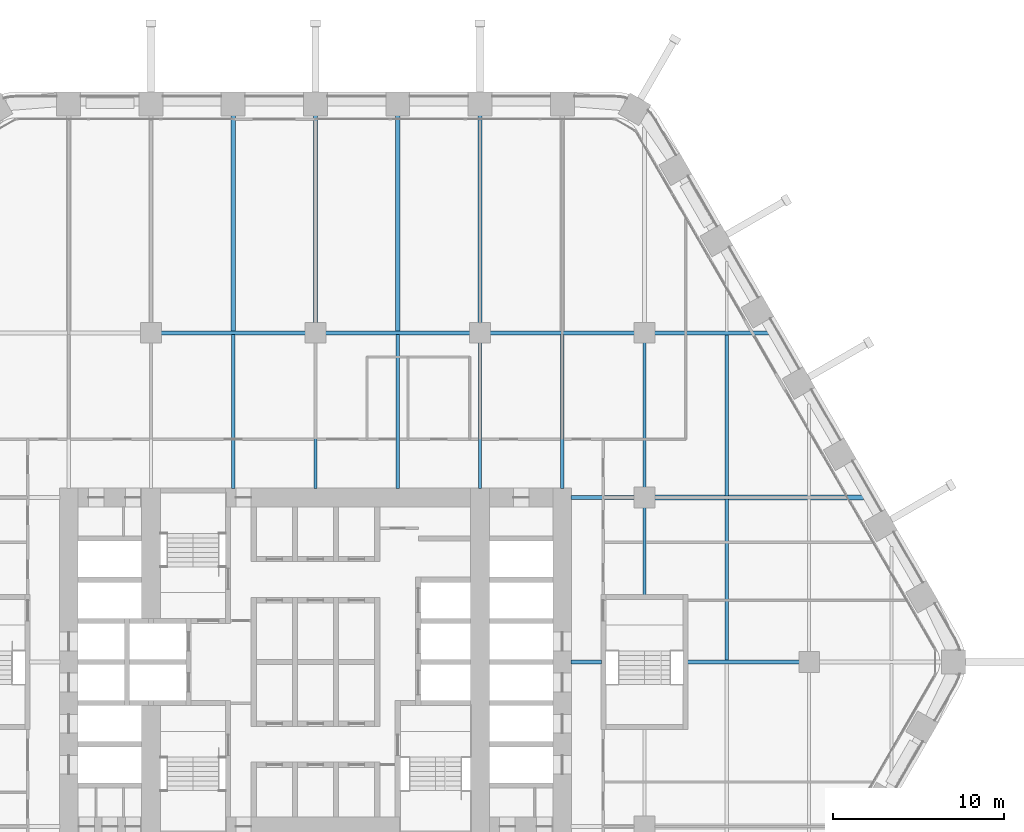
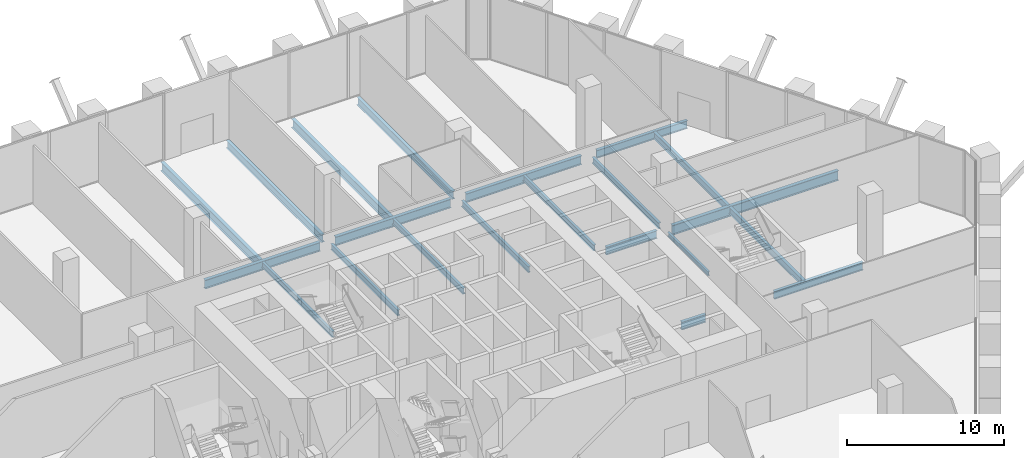
# One storey, part 9 of 29: 21 beams.
"""IFC4 building model written with IfcOpenShell, lengths in metres."""

from ifc_helpers import new_model, si_unit, direction, frame, origin, origin_2d, place, context, subcontext, project, spatial, i_section, extrude, material, material_profile, profile_set, type_object, element, save


model = new_model("IFC4")

# Units and contexts
model_context = context("Model", 3, precision=1e-05, world=origin(), true_north=direction((0.0, 1.0)))
body_context = subcontext(model_context, "Body", "Model", "MODEL_VIEW")
ifc_project = project(units=[si_unit("LENGTHUNIT", "METRE"), si_unit("AREAUNIT", "SQUARE_METRE"), si_unit("VOLUMEUNIT", "CUBIC_METRE"), si_unit("PLANEANGLEUNIT", "RADIAN"), si_unit("MASSUNIT", "GRAM", prefix="KILO")], contexts=[model_context])

# Site, building, storey
site_placement = place(None, origin())
site = spatial("IfcSite", under=ifc_project, at=site_placement, CompositionType="ELEMENT")
building_placement = place(site_placement, origin())
building = spatial("IfcBuilding", under=site, at=building_placement, Name="Kolab Exchange Tower", CompositionType="ELEMENT")
storey_placement = place(building_placement, frame((0.0, 0.0, 33.39990234375)))
storey = spatial("IfcBuildingStorey", under=building, at=storey_placement, Name="L06", CompositionType="ELEMENT", Elevation=33.39990234375)

# Beams
ifc_material = material(Name="Steel S355", Category="steel")
ifc_material_profile_1 = material_profile(ifc_material, i_section(OverallWidth=0.1650390625, OverallDepth=0.31005859375, WebThickness=0.005859375, FlangeThickness=0.009765625, at=origin_2d()), Name="W310X39")
ifc_profile_set_1 = profile_set([ifc_material_profile_1], Name="Steel S355")
beam_type_1 = type_object("IfcBeamType", Name="FLOOR BEAM W310X39", PredefinedType="BEAM", material=ifc_profile_set_1)
beam_1_placement = place(storey_placement, frame((19.199951171875, 3.909912109375, -0.40478515625), z_axis=(0.0, 1.0, 0.0), x_axis=(-1.0, 0.0, 0.0)))
element("IfcBeam", 1, at=beam_1_placement, inside=storey, type_object=beam_type_1, Name="beam/L06/fr/049", PredefinedType="BEAM", context=body_context, shape_type="SweptSolid", body=[
    extrude(i_section(OverallWidth=0.1650390625, OverallDepth=0.31005859375, WebThickness=0.005859375, FlangeThickness=0.009765625, at=origin_2d()), origin(), (0.0, 0.0, 1.0), 5.130126953125),
])
ifc_material_profile_2 = material_profile(ifc_material, i_section(OverallWidth=0.18994140625, OverallDepth=0.45703125, WebThickness=0.009033203125, FlangeThickness=0.014404296875, at=origin_2d()), Name="W460X74")
ifc_profile_set_2 = profile_set([ifc_material_profile_2], Name="Steel S355")
beam_type_2 = type_object("IfcBeamType", Name="FLOOR BEAM W460X74", PredefinedType="BEAM", material=ifc_profile_set_2)
beam_2_placement = place(storey_placement, frame((-4.800048828125, 10.110107421875, -0.478515625), z_axis=(0.0, 1.0, 0.0), x_axis=(-1.0, 0.0, 0.0)))
element("IfcBeam", 2, at=beam_2_placement, inside=storey, type_object=beam_type_2, Name="beam/L06/fr/028", PredefinedType="BEAM", context=body_context, shape_type="SweptSolid", body=[
    extrude(i_section(OverallWidth=0.18994140625, OverallDepth=0.45703125, WebThickness=0.009033203125, FlangeThickness=0.014404296875, at=origin_2d()), origin(), (0.0, 0.0, 1.0), 9.0029296875),
])
beam_3_placement = place(storey_placement, frame((0.0, 10.110107421875, -0.478515625), z_axis=(0.0, 1.0, 0.0), x_axis=(-1.0, 0.0, 0.0)))
element("IfcBeam", 3, at=beam_3_placement, inside=storey, type_object=beam_type_2, Name="beam/L06/fr/032", PredefinedType="BEAM", context=body_context, shape_type="SweptSolid", body=[
    extrude(i_section(OverallWidth=0.18994140625, OverallDepth=0.45703125, WebThickness=0.009033203125, FlangeThickness=0.014404296875, at=origin_2d()), origin(), (0.0, 0.0, 1.0), 8.52978515625),
])
beam_4_placement = place(storey_placement, frame((4.800048828125, 10.110107421875, -0.478515625), z_axis=(0.0, 1.0, 0.0), x_axis=(-1.0, 0.0, 0.0)))
element("IfcBeam", 4, at=beam_4_placement, inside=storey, type_object=beam_type_2, Name="beam/L06/fr/036", PredefinedType="BEAM", context=body_context, shape_type="SweptSolid", body=[
    extrude(i_section(OverallWidth=0.18994140625, OverallDepth=0.45703125, WebThickness=0.009033203125, FlangeThickness=0.014404296875, at=origin_2d()), origin(), (0.0, 0.0, 1.0), 9.0029296875),
])
beam_5_placement = place(storey_placement, frame((9.60009765625, 10.110107421875, -0.478515625), z_axis=(0.0, 1.0, 0.0), x_axis=(-1.0, 0.0, 0.0)))
element("IfcBeam", 5, at=beam_5_placement, inside=storey, type_object=beam_type_2, Name="beam/L06/fr/040", PredefinedType="BEAM", context=body_context, shape_type="SweptSolid", body=[
    extrude(i_section(OverallWidth=0.18994140625, OverallDepth=0.45703125, WebThickness=0.009033203125, FlangeThickness=0.014404296875, at=origin_2d()), origin(), (0.0, 0.0, 1.0), 8.52978515625),
])
beam_6_placement = place(storey_placement, frame((14.39990234375, 10.110107421875, -0.478515625), z_axis=(0.0, 1.0, 0.0), x_axis=(-1.0, 0.0, 0.0)))
element("IfcBeam", 6, at=beam_6_placement, inside=storey, type_object=beam_type_2, Name="beam/L06/fr/044", PredefinedType="BEAM", context=body_context, shape_type="SweptSolid", body=[
    extrude(i_section(OverallWidth=0.18994140625, OverallDepth=0.45703125, WebThickness=0.009033203125, FlangeThickness=0.014404296875, at=origin_2d()), origin(), (0.0, 0.0, 1.0), 9.0029296875),
])
beam_7_placement = place(storey_placement, frame((19.199951171875, 10.159912109375, -0.478515625), z_axis=(0.0, 1.0, 0.0), x_axis=(-1.0, 0.0, 0.0)))
element("IfcBeam", 7, at=beam_7_placement, inside=storey, type_object=beam_type_2, Name="beam/L06/fr/050", PredefinedType="BEAM", context=body_context, shape_type="SweptSolid", body=[
    extrude(i_section(OverallWidth=0.18994140625, OverallDepth=0.45703125, WebThickness=0.009033203125, FlangeThickness=0.014404296875, at=origin_2d()), origin(), (0.0, 0.0, 1.0), 8.47998046875),
])
ifc_material_profile_3 = material_profile(ifc_material, i_section(OverallWidth=0.208984375, OverallDepth=0.532958984375, WebThickness=0.01025390625, FlangeThickness=0.015625, at=origin_2d()), Name="W530X92")
ifc_profile_set_3 = profile_set([ifc_material_profile_3], Name="Steel S355")
beam_type_3 = type_object("IfcBeamType", Name="FLOOR BEAM W530X92", PredefinedType="BEAM", material=ifc_profile_set_3)
beam_8_placement = place(storey_placement, frame((24.0, 0.073974609375, -0.516357421875), z_axis=(0.0, 1.0, 0.0), x_axis=(-1.0, 0.0, 0.0)))
element("IfcBeam", 8, at=beam_8_placement, inside=storey, type_object=beam_type_3, Name="beam/L06/fr/055", PredefinedType="BEAM", context=body_context, shape_type="SweptSolid", body=[
    extrude(i_section(OverallWidth=0.208984375, OverallDepth=0.532958984375, WebThickness=0.01025390625, FlangeThickness=0.015625, at=origin_2d()), origin(), (0.0, 0.0, 1.0), 9.4326171875),
])
beam_9_placement = place(storey_placement, frame((24.0, 9.693603515625, -0.516357421875), z_axis=(0.0, 1.0, 0.0), x_axis=(-1.0, 0.0, 0.0)))
element("IfcBeam", 9, at=beam_9_placement, inside=storey, type_object=beam_type_3, Name="beam/L06/fr/056", PredefinedType="BEAM", context=body_context, shape_type="SweptSolid", body=[
    extrude(i_section(OverallWidth=0.208984375, OverallDepth=0.532958984375, WebThickness=0.01025390625, FlangeThickness=0.015625, at=origin_2d()), origin(), (0.0, 0.0, 1.0), 9.432373046875),
])
ifc_material_profile_4 = material_profile(ifc_material, i_section(OverallWidth=0.22802734375, OverallDepth=0.60791015625, WebThickness=0.01123046875, FlangeThickness=0.017333984375, at=origin_2d()), Name="W610X113")
ifc_profile_set_4 = profile_set([ifc_material_profile_4], Name="Steel S355")
beam_type_4 = type_object("IfcBeamType", Name="FLOOR BEAM W610X113", PredefinedType="BEAM", material=ifc_profile_set_4)
for number, where, z_axis, x_axis, name in (
    (10, (0.0, 19.760009765625, -0.553955078125), (0.0, 1.0, 0.0), (-1.0, 0.0, 0.0), "beam/L06/fr/033"),
    (11, (9.60009765625, 19.760009765625, -0.553955078125), (0.0, 1.0, 0.0), (-1.0, 0.0, 0.0), "beam/L06/fr/041"),
):
    element("IfcBeam", number, at=place(storey_placement, frame(where, z_axis=z_axis, x_axis=x_axis)), inside=storey, type_object=beam_type_4, Name=name, PredefinedType="BEAM", context=body_context, shape_type="SweptSolid", body=[
        extrude(i_section(OverallWidth=0.22802734375, OverallDepth=0.60791015625, WebThickness=0.01123046875, FlangeThickness=0.017333984375, at=origin_2d()), origin(), (0.0, 0.0, 1.0), 12.135498046875),
    ])
ifc_material_profile_5 = material_profile(ifc_material, i_section(OverallWidth=0.25390625, OverallDepth=0.68408203125, WebThickness=0.012451171875, FlangeThickness=0.018798828125, at=origin_2d()), Name="W690X140")
ifc_profile_set_5 = profile_set([ifc_material_profile_5], Name="Steel S355")
beam_type_5 = type_object("IfcBeamType", Name="FLOOR BEAM W690X140", PredefinedType="BEAM", material=ifc_profile_set_5)
for number, where, z_axis, x_axis, name in (
    (12, (-4.800048828125, 19.287109375, -0.591796875), (0.0, 1.0, 0.0), (-1.0, 0.0, 0.0), "beam/L06/fr/029"),
    (13, (4.800048828125, 19.287109375, -0.591796875), (0.0, 1.0, 0.0), (-1.0, 0.0, 0.0), "beam/L06/fr/037"),
):
    element("IfcBeam", number, at=place(storey_placement, frame(where, z_axis=z_axis, x_axis=x_axis)), inside=storey, type_object=beam_type_5, Name=name, PredefinedType="BEAM", context=body_context, shape_type="SweptSolid", body=[
        extrude(i_section(OverallWidth=0.25390625, OverallDepth=0.68408203125, WebThickness=0.012451171875, FlangeThickness=0.018798828125, at=origin_2d()), origin(), (0.0, 0.0, 1.0), 12.6083984375),
    ])
ifc_material_profile_6 = material_profile(ifc_material, i_section(OverallWidth=0.22802734375, OverallDepth=0.60791015625, WebThickness=0.01123046875, FlangeThickness=0.017333984375, at=origin_2d()), Name="W610X113")
ifc_profile_set_6 = profile_set([ifc_material_profile_6], Name="Steel S355")
beam_type_6 = type_object("IfcBeamType", Name="FLOOR GIRDER W610X113", PredefinedType="BEAM", material=ifc_profile_set_6)
beam_10_placement = place(storey_placement, frame((14.909912109375, 0.0, -0.553955078125), z_axis=(1.0, 0.0, 0.0), x_axis=(0.0, 1.0, 0.0)))
element("IfcBeam", 14, at=beam_10_placement, inside=storey, type_object=beam_type_6, Name="beam/L06/gd/018", PredefinedType="BEAM", context=body_context, shape_type="SweptSolid", body=[
    extrude(i_section(OverallWidth=0.22802734375, OverallDepth=0.60791015625, WebThickness=0.01123046875, FlangeThickness=0.017333984375, at=origin_2d()), origin(), (0.0, 0.0, 1.0), 1.780029296875),
])
beam_11_placement = place(storey_placement, frame((14.909912109375, 9.60009765625, -0.553955078125), z_axis=(1.0, 0.0, 0.0), x_axis=(0.0, 1.0, 0.0)))
element("IfcBeam", 15, at=beam_11_placement, inside=storey, type_object=beam_type_6, Name="beam/L06/gd/019", PredefinedType="BEAM", context=body_context, shape_type="SweptSolid", body=[
    extrude(i_section(OverallWidth=0.22802734375, OverallDepth=0.60791015625, WebThickness=0.01123046875, FlangeThickness=0.017333984375, at=origin_2d()), origin(), (0.0, 0.0, 1.0), 3.72998046875),
])
beam_12_placement = place(storey_placement, frame((19.760009765625, 19.199951171875, -0.553955078125), z_axis=(1.0, 0.0, 0.0), x_axis=(0.0, 1.0, 0.0)))
element("IfcBeam", 16, at=beam_12_placement, inside=storey, type_object=beam_type_6, Name="beam/L06/gd/023", PredefinedType="BEAM", context=body_context, shape_type="SweptSolid", body=[
    extrude(i_section(OverallWidth=0.22802734375, OverallDepth=0.60791015625, WebThickness=0.01123046875, FlangeThickness=0.017333984375, at=origin_2d()), origin(), (0.0, 0.0, 1.0), 6.671142578125),
])
beam_13_placement = place(storey_placement, frame((21.7099609375, 0.0, -0.553955078125), z_axis=(1.0, 0.0, 0.0), x_axis=(0.0, 1.0, 0.0)))
element("IfcBeam", 17, at=beam_13_placement, inside=storey, type_object=beam_type_6, Name="beam/L06/gd/024", PredefinedType="BEAM", context=body_context, shape_type="SweptSolid", body=[
    extrude(i_section(OverallWidth=0.22802734375, OverallDepth=0.60791015625, WebThickness=0.01123046875, FlangeThickness=0.017333984375, at=origin_2d()), origin(), (0.0, 0.0, 1.0), 6.530029296875),
])
ifc_material_profile_7 = material_profile(ifc_material, i_section(OverallWidth=0.25390625, OverallDepth=0.68408203125, WebThickness=0.012451171875, FlangeThickness=0.018798828125, at=origin_2d()), Name="W690X140")
ifc_profile_set_7 = profile_set([ifc_material_profile_7], Name="Steel S355")
beam_type_7 = type_object("IfcBeamType", Name="FLOOR GIRDER W690X140", PredefinedType="BEAM", material=ifc_profile_set_7)
for number, where, z_axis, x_axis, name in (
    (18, (-9.0400390625, 19.199951171875, -0.591796875), (1.0, 0.0, 0.0), (0.0, 1.0, 0.0), "beam/L06/gd/012"),
    (19, (0.56005859375, 19.199951171875, -0.591796875), (1.0, 0.0, 0.0), (0.0, 1.0, 0.0), "beam/L06/gd/014"),
    (20, (10.159912109375, 19.199951171875, -0.591796875), (1.0, 0.0, 0.0), (0.0, 1.0, 0.0), "beam/L06/gd/016"),
):
    element("IfcBeam", number, at=place(storey_placement, frame(where, z_axis=z_axis, x_axis=x_axis)), inside=storey, type_object=beam_type_7, Name=name, PredefinedType="BEAM", context=body_context, shape_type="SweptSolid", body=[
        extrude(i_section(OverallWidth=0.25390625, OverallDepth=0.68408203125, WebThickness=0.012451171875, FlangeThickness=0.018798828125, at=origin_2d()), origin(), (0.0, 0.0, 1.0), 8.47998046875),
    ])
ifc_material_profile_8 = material_profile(ifc_material, i_section(OverallWidth=0.26708984375, OverallDepth=0.761962890625, WebThickness=0.014404296875, FlangeThickness=0.021484375, at=origin_2d()), Name="W760X173")
ifc_profile_set_8 = profile_set([ifc_material_profile_8], Name="Steel S355")
beam_type_8 = type_object("IfcBeamType", Name="FLOOR GIRDER W760X173", PredefinedType="BEAM", material=ifc_profile_set_8)
beam_14_placement = place(storey_placement, frame((19.760009765625, 9.60009765625, -0.630859375), z_axis=(1.0, 0.0, 0.0), x_axis=(0.0, 1.0, 0.0)))
element("IfcBeam", 21, at=beam_14_placement, inside=storey, type_object=beam_type_8, Name="beam/L06/gd/022", PredefinedType="BEAM", context=body_context, shape_type="SweptSolid", body=[
    extrude(i_section(OverallWidth=0.26708984375, OverallDepth=0.761962890625, WebThickness=0.014404296875, FlangeThickness=0.021484375, at=origin_2d()), origin(), (0.0, 0.0, 1.0), 12.213623046875),
])

save(model, "model.ifc")
